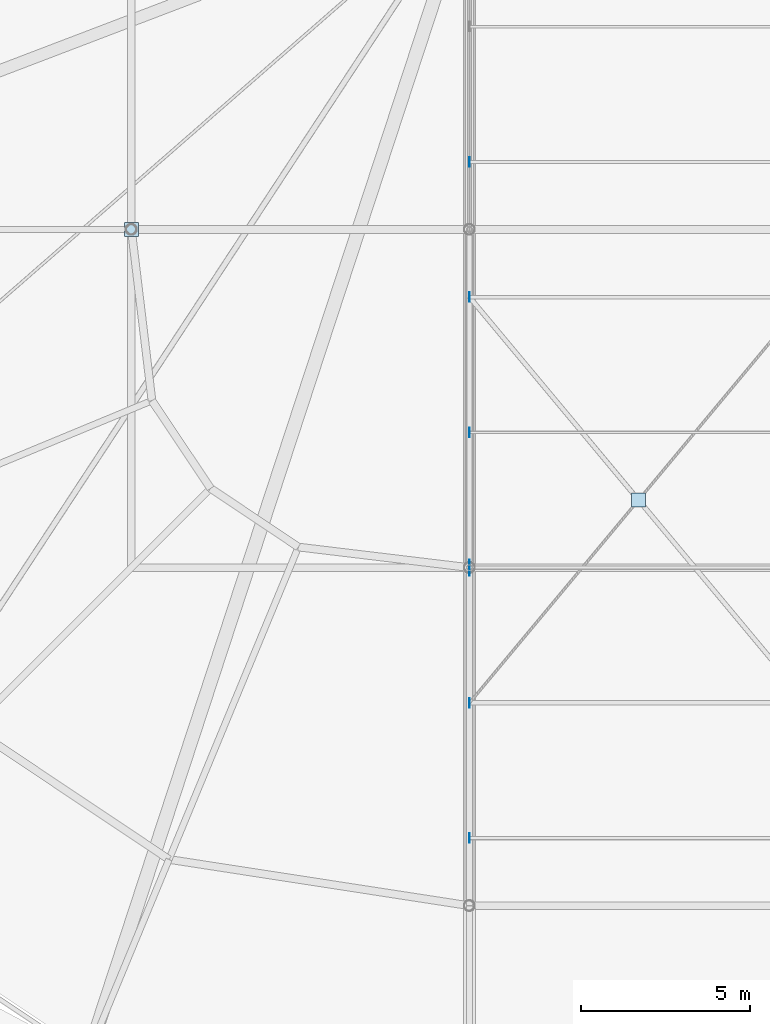
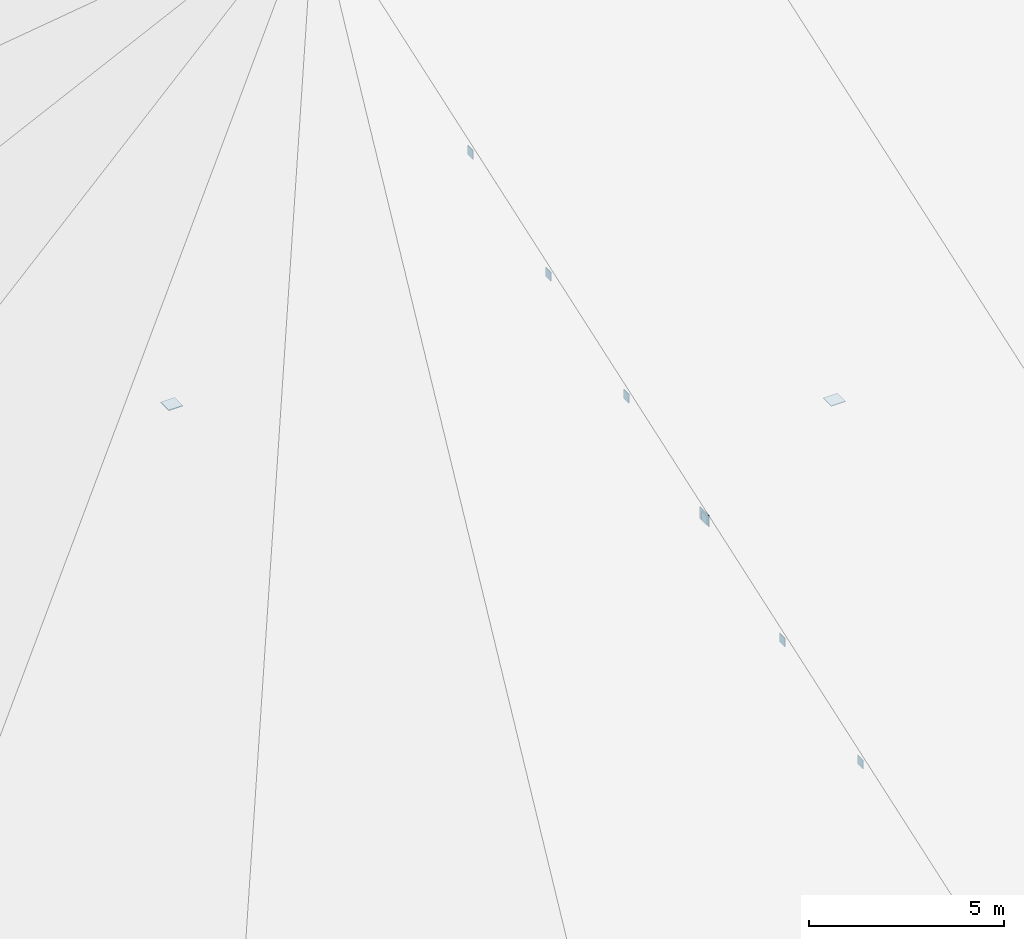
# One storey, part 84 of 93: 9 plates.
"""IFC4 building model written with IfcOpenShell, lengths in metres."""

from ifc_helpers import new_model, si_unit, derived_unit, direction, frame, origin, origin_2d_with_axis, place, context, subcontext, project, spatial, rectangle, extrude, material, layer, layer_set, type_object, element, save


model = new_model("IFC4")

# Units and contexts
model_context = context("Model", 3, precision=1e-05, world=origin(), true_north=direction((0.0, 1.0)))
body_context = subcontext(model_context, "Body", "Model", "MODEL_VIEW")
ifc_project = project(units=[si_unit("LENGTHUNIT", "METRE"), si_unit("AREAUNIT", "SQUARE_METRE"), si_unit("VOLUMEUNIT", "CUBIC_METRE"), si_unit("PLANEANGLEUNIT", "RADIAN"), si_unit("MASSUNIT", "GRAM", prefix="KILO"), derived_unit("THERMALTRANSMITTANCEUNIT", [(si_unit("POWERUNIT", "WATT"), 1), (si_unit("LENGTHUNIT", "METRE"), -2), (si_unit("THERMODYNAMICTEMPERATUREUNIT", "KELVIN"), -1)])], contexts=[model_context])

# Site, building, storey
site_placement = place(None, origin())
site = spatial("IfcSite", under=ifc_project, at=site_placement, CompositionType="ELEMENT")
building_placement = place(site_placement, origin())
building = spatial("IfcBuilding", under=site, at=building_placement, Name="Cinnabar Yard Market Hall", CompositionType="ELEMENT")
storey_placement = place(building_placement, frame((0.0, 0.0, 23.800048828125)))
storey = spatial("IfcBuildingStorey", under=building, at=storey_placement, Name="ROOF", CompositionType="ELEMENT", Elevation=23.800048828125)

# Plates
ifc_material = material(Name="Steel Grade 350 (350 MPa)", Category="steel")
ifc_layer_1 = layer(ifc_material, 0.01611328125)
ifc_layer_set_1 = layer_set([ifc_layer_1], Name="Steel Grade 350 (350 MPa)")
plate_type_1 = type_object("IfcPlateType", Name="PL-NP05", PredefinedType="SHEET", material=ifc_layer_set_1)
plate_1_placement = place(storey_placement, frame((91.0, 26.0, -3.0732421875), z_axis=(0.0, 0.0, 1.0), x_axis=(1.0, 0.0, 0.0)))
element("IfcPlate", 1, at=plate_1_placement, inside=storey, type_object=plate_type_1, Name="X-Brace Crossing Gusset 86-20", PredefinedType="SHEET", context=body_context, shape_type="SweptSolid", body=[
    extrude(rectangle(XDim=0.419921875, YDim=0.419921875, at=origin_2d_with_axis()), origin(), (0.0, 0.0, 1.0), 0.01611328125),
])
ifc_layer_2 = layer(ifc_material, 0.360107421875)
ifc_layer_set_2 = layer_set([ifc_layer_2], Name="Steel Grade 350 (350 MPa)")
plate_type_2 = type_object("IfcPlateType", Name="PL-NP12", PredefinedType="SHEET", material=ifc_layer_set_2)
plate_2_placement = place(storey_placement, frame((86.0, 24.0, -3.94140625), z_axis=(0.0, 0.0, 1.0), x_axis=(1.0, 0.0, 0.0)))
element("IfcPlate", 2, at=plate_2_placement, inside=storey, type_object=plate_type_2, Name="Truss Node Gusset 86-1", PredefinedType="SHEET", context=body_context, shape_type="SweptSolid", body=[
    extrude(rectangle(XDim=0.02001953125, YDim=0.47998046875, at=origin_2d_with_axis()), origin(), (0.0, 0.0, 1.0), 0.360107421875),
])
ifc_layer_3 = layer(ifc_material, 0.02392578125)
ifc_layer_set_3 = layer_set([ifc_layer_3], Name="Steel Grade 350 (350 MPa)")
plate_type_3 = type_object("IfcPlateType", Name="PL-NP16", PredefinedType="SHEET", material=ifc_layer_set_3)
plate_3_placement = place(storey_placement, frame((76.0, 34.0, -2.81201171875), z_axis=(0.0, 0.0, 1.0), x_axis=(1.0, 0.0, 0.0)))
element("IfcPlate", 3, at=plate_3_placement, inside=storey, type_object=plate_type_3, Name="Hollow Member Cap Plate 05", PredefinedType="SHEET", context=body_context, shape_type="SweptSolid", body=[
    extrude(rectangle(XDim=0.419921875, YDim=0.419921875, at=origin_2d_with_axis()), origin(), (0.0, 0.0, 1.0), 0.02392578125),
])
ifc_layer_4 = layer(ifc_material, 0.280029296875)
ifc_layer_set_4 = layer_set([ifc_layer_4], Name="Steel Grade 350 (350 MPa)")
plate_type_4 = type_object("IfcPlateType", Name="PL-NP17", PredefinedType="SHEET", material=ifc_layer_set_4)
for number, where, z_axis, x_axis, name in (
    (4, (86.0, 16.0, -6.72607421875), (0.0, 0.0, 1.0), (1.0, 0.0, 0.0), "Purlin End Cap Y16 W"),
    (5, (86.0, 20.0, -5.33349609375), (0.0, 0.0, 1.0), (1.0, 0.0, 0.0), "Purlin End Cap Y20 W"),
    (6, (86.0, 24.0, -3.94140625), (0.0, 0.0, 1.0), (1.0, 0.0, 0.0), "Purlin End Cap Y24 W"),
    (7, (86.0, 28.0, -2.54931640625), (0.0, 0.0, 1.0), (1.0, 0.0, 0.0), "Purlin End Cap Y28 W"),
    (8, (86.0, 32.0, -1.15673828125), (0.0, 0.0, 1.0), (1.0, 0.0, 0.0), "Purlin End Cap Y32 W"),
    (9, (86.0, 36.0, 0.2353515625), (0.0, 0.0, 1.0), (1.0, 0.0, 0.0), "Purlin End Cap Y36 W"),
):
    element("IfcPlate", number, at=place(storey_placement, frame(where, z_axis=z_axis, x_axis=x_axis)), inside=storey, type_object=plate_type_4, Name=name, PredefinedType="SHEET", context=body_context, shape_type="SweptSolid", body=[
        extrude(rectangle(XDim=0.02001953125, YDim=0.280029296875, at=origin_2d_with_axis()), origin(), (0.0, 0.0, 1.0), 0.280029296875),
    ])

save(model, "model.ifc")
